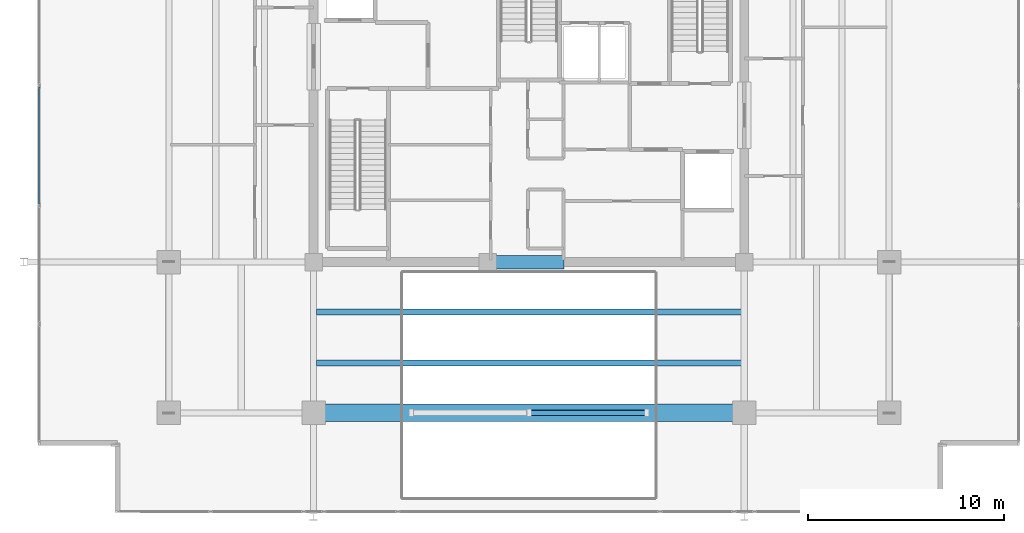
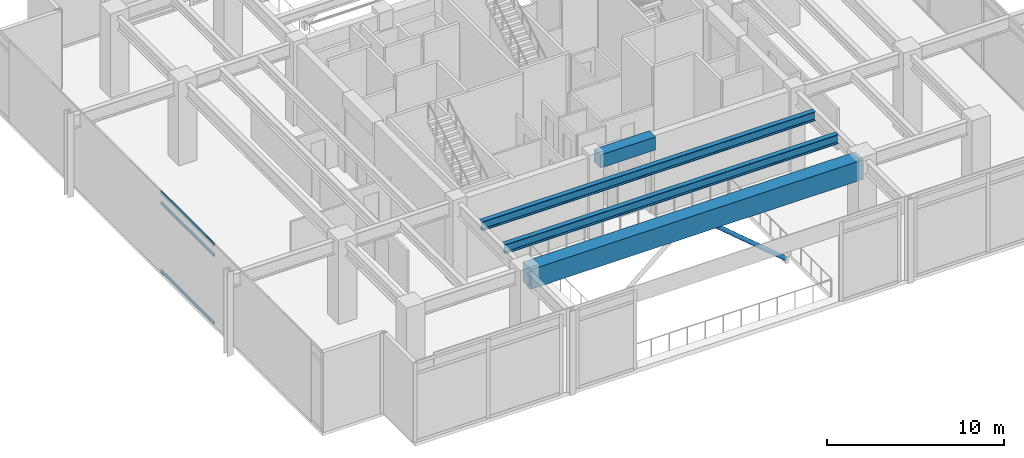
# One storey, part 5 of 25: 4 beams, 4 members, 1 element without a shape of its own.
"""IFC4 building model written with IfcOpenShell, lengths in metres."""

from ifc_helpers import new_model, si_unit, direction, frame, origin, origin_2d, place, context, subcontext, project, spatial, rectangle, hollow_rectangle, hollow_circle, i_section, extrude, material, material_profile, profile_set, type_object, element, aggregate, save


model = new_model("IFC4")

# Units and contexts
model_context = context("Model", 3, precision=1e-05, world=origin(), true_north=direction((0.0, 1.0)))
body_context = subcontext(model_context, "Body", "Model", "MODEL_VIEW")
ifc_project = project(units=[si_unit("LENGTHUNIT", "METRE"), si_unit("AREAUNIT", "SQUARE_METRE"), si_unit("VOLUMEUNIT", "CUBIC_METRE"), si_unit("PLANEANGLEUNIT", "RADIAN"), si_unit("MASSUNIT", "GRAM", prefix="KILO")], contexts=[model_context])

# Site, building, storey
site_placement = place(None, origin())
site = spatial("IfcSite", under=ifc_project, at=site_placement, CompositionType="ELEMENT")
building_placement = place(site_placement, origin())
building = spatial("IfcBuilding", under=site, at=building_placement, Name="Kovane Verandah Tower", CompositionType="ELEMENT")
storey_placement = place(building_placement, frame((0.0, 0.0, 295.199951171875)))
storey = spatial("IfcBuildingStorey", under=building, at=storey_placement, Name="L69", CompositionType="ELEMENT", Elevation=295.199951171875)

# Beams
ifc_material_1 = material(Name="Concrete C60/75", Category="concrete")
ifc_material_profile_1 = material_profile(ifc_material_1, rectangle(XDim=0.699951171875, YDim=0.89990234375, at=origin_2d()), Name="RCB700x900")
ifc_profile_set_1 = profile_set([ifc_material_profile_1], Name="Concrete C60/75")
beam_type_1 = type_object("IfcBeamType", Name="BM-LINTEL-700x900", PredefinedType="LINTEL", material=ifc_profile_set_1)
beam_1_placement = place(storey_placement, frame((38.199951171875, 18.5, 5.050048828125), z_axis=(1.0, 0.0, 0.0), x_axis=(0.0, 1.0, 0.0)))
element("IfcBeam", 1, at=beam_1_placement, inside=storey, type_object=beam_type_1, Name="L69 Core Coupling Lintel CL-S", PredefinedType="LINTEL", context=body_context, shape_type="SweptSolid", body=[
    extrude(rectangle(XDim=0.699951171875, YDim=0.89990234375, at=origin_2d()), origin(), (0.0, 0.0, 1.0), 3.60009765625),
])
ifc_material_2 = material(Name="Concrete C80/95", Category="concrete")
ifc_material_profile_2 = material_profile(ifc_material_2, rectangle(XDim=0.89990234375, YDim=1.35009765625, at=origin_2d()), Name="RCB900x1350")
ifc_profile_set_2 = profile_set([ifc_material_profile_2], Name="Concrete C80/95")
beam_type_2 = type_object("IfcBeamType", Name="BM-TR-900x1350", PredefinedType="BEAM", material=ifc_profile_set_2)
beam_2_placement = place(storey_placement, frame((29.179931640625, 10.800048828125, 4.824951171875), z_axis=(1.0, 0.0, 0.0), x_axis=(0.0, 1.0, 0.0)))
element("IfcBeam", 2, at=beam_2_placement, inside=storey, type_object=beam_type_2, Name="L69 Primary Tower Girder G-RS2", PredefinedType="BEAM", context=body_context, shape_type="SweptSolid", body=[
    extrude(rectangle(XDim=0.89990234375, YDim=1.35009765625, at=origin_2d()), origin(), (0.0, 0.0, 1.0), 21.64013671875),
])
ifc_material_3 = material(Name="Steel S460", Category="steel")
ifc_material_profile_3 = material_profile(ifc_material_3, i_section(OverallWidth=0.311279296875, OverallDepth=0.6357421875, WebThickness=0.018310546875, FlangeThickness=0.031494140625, FilletRadius=0.0166015625, at=origin_2d()), Name="UB610x305x238")
ifc_profile_set_3 = profile_set([ifc_material_profile_3], Name="Steel S460")
beam_type_3 = type_object("IfcBeamType", Name="BM-UB610x238", PredefinedType="BEAM", material=ifc_profile_set_3)
for number, where, z_axis, x_axis, name in (
    (3, (29.15185546875, 13.35009765625, 5.18212890625), (1.0, 0.0, 0.0), (0.0, 1.0, 0.0), "L69 Secondary Composite Joist J-S1"),
    (4, (29.15185546875, 15.949951171875, 5.18212890625), (1.0, 0.0, 0.0), (0.0, 1.0, 0.0), "L69 Secondary Composite Joist J-S2"),
):
    element("IfcBeam", number, at=place(storey_placement, frame(where, z_axis=z_axis, x_axis=x_axis)), inside=storey, type_object=beam_type_3, Name=name, PredefinedType="BEAM", context=body_context, shape_type="SweptSolid", body=[
        extrude(i_section(OverallWidth=0.311279296875, OverallDepth=0.6357421875, WebThickness=0.018310546875, FlangeThickness=0.031494140625, FilletRadius=0.0166015625, at=origin_2d()), origin(), (0.0, 0.0, 1.0), 21.6962890625),
    ])

# Curtain wall, members
ifc_material_4 = material(Name="Champagne Anodised Aluminium Frame with Low-E Clear Laminated Glass", Category="aluminium")
curtain_wall_type = type_object("IfcCurtainWallType", Name="CW-SYS-05-HIGH", PredefinedType="NOTDEFINED", material=ifc_material_4)
curtain_wall_placement = place(storey_placement, origin())
curtain_wall = element("IfcCurtainWall", 5, at=curtain_wall_placement, inside=storey, type_object=curtain_wall_type, Name="L69 W Unitised Curtain Wall", PredefinedType="NOTDEFINED")
ifc_material_5 = material(Name="Champagne Anodised Aluminium 6063-T6", Category="aluminium")
ifc_material_profile_4 = material_profile(ifc_material_5, hollow_rectangle(XDim=0.0849609375, YDim=0.18994140625, WallThickness=0.00390625, at=origin_2d()), Name="AL85x190x4")
ifc_profile_set_4 = profile_set([ifc_material_profile_4], Name="Champagne Anodised Aluminium 6063-T6")
member_type_1 = type_object("IfcMemberType", Name="CW-TRN-85x190", PredefinedType="USERDEFINED", material=ifc_profile_set_4)
member_1_placement = place(storey_placement, frame((14.982177734375, 27.449951171875, 0.050048828125), z_axis=(0.0, -1.0, 0.0), x_axis=(1.0, 0.0, 0.0)))
member_1 = element("IfcMember", 6, at=member_1_placement, type_object=member_type_1, Name="L69 W Unitised Curtain Wall Transom TB Bay 4", ObjectType="TRANSOM", PredefinedType="USERDEFINED", context=body_context, shape_type="SweptSolid", body=[
    extrude(hollow_rectangle(XDim=0.0849609375, YDim=0.18994140625, WallThickness=0.00390625, at=origin_2d()), origin(), (0.0, 0.0, 1.0), 5.98046875),
])
member_2_placement = place(storey_placement, frame((14.982177734375, 27.449951171875, 4.719970703125), z_axis=(0.0, -1.0, 0.0), x_axis=(1.0, 0.0, 0.0)))
member_2 = element("IfcMember", 7, at=member_2_placement, type_object=member_type_1, Name="L69 W Unitised Curtain Wall Transom TM Bay 4", ObjectType="TRANSOM", PredefinedType="USERDEFINED", context=body_context, shape_type="SweptSolid", body=[
    extrude(hollow_rectangle(XDim=0.0849609375, YDim=0.18994140625, WallThickness=0.00390625, at=origin_2d()), origin(), (0.0, 0.0, 1.0), 5.98046875),
])
member_3_placement = place(storey_placement, frame((14.982177734375, 27.449951171875, 5.449951171875), z_axis=(0.0, -1.0, 0.0), x_axis=(1.0, 0.0, 0.0)))
member_3 = element("IfcMember", 8, at=member_3_placement, type_object=member_type_1, Name="L69 W Unitised Curtain Wall Transom TT Bay 4", ObjectType="TRANSOM", PredefinedType="USERDEFINED", context=body_context, shape_type="SweptSolid", body=[
    extrude(hollow_rectangle(XDim=0.0849609375, YDim=0.18994140625, WallThickness=0.00390625, at=origin_2d()), origin(), (0.0, 0.0, 1.0), 5.98046875),
])
aggregate(curtain_wall, [member_1, member_2, member_3])

# Member
ifc_material_6 = material(Name="Steel S355", Category="steel")
ifc_material_profile_5 = material_profile(ifc_material_6, hollow_circle(Radius=0.136474609375, WallThickness=0.010009765625, at=origin_2d()), Name="CHS273x10")
ifc_profile_set_5 = profile_set([ifc_material_profile_5], Name="Steel S355")
member_type_2 = type_object("IfcMemberType", Name="MEM-STRUT-CHS273", PredefinedType="STRUT", material=ifc_profile_set_5)
member_4_placement = place(storey_placement, frame((46.0, 10.800048828125, 0.1201171875), z_axis=(-0.763203673849, 0.0, 0.646157993236), x_axis=(0.0, -1.0, 0.0)))
element("IfcMember", 9, at=member_4_placement, inside=storey, type_object=member_type_2, Name="L69 Wind-Portal Aerodynamic V-Strut 2B", PredefinedType="STRUT", context=body_context, shape_type="SweptSolid", body=[
    extrude(hollow_circle(Radius=0.136474609375, WallThickness=0.010009765625, at=origin_2d()), origin(), (0.0, 0.0, 1.0), 7.861572265625),
])

save(model, "model.ifc")
